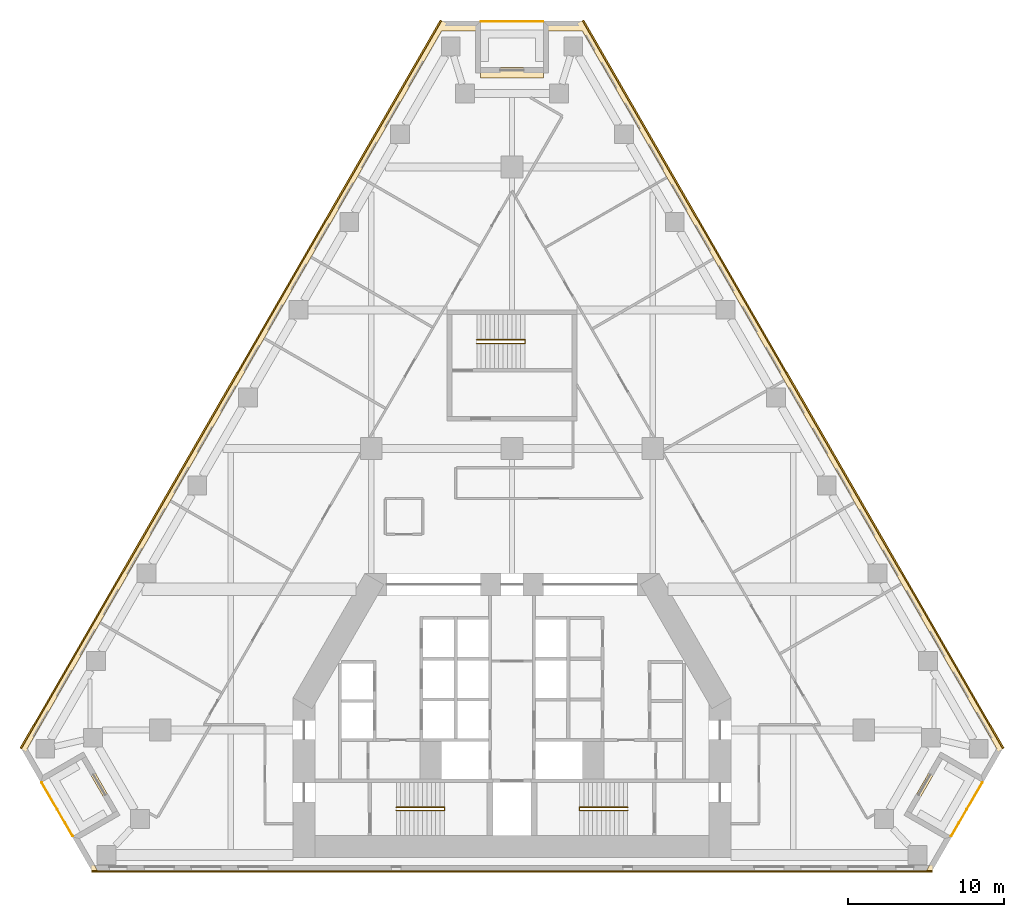
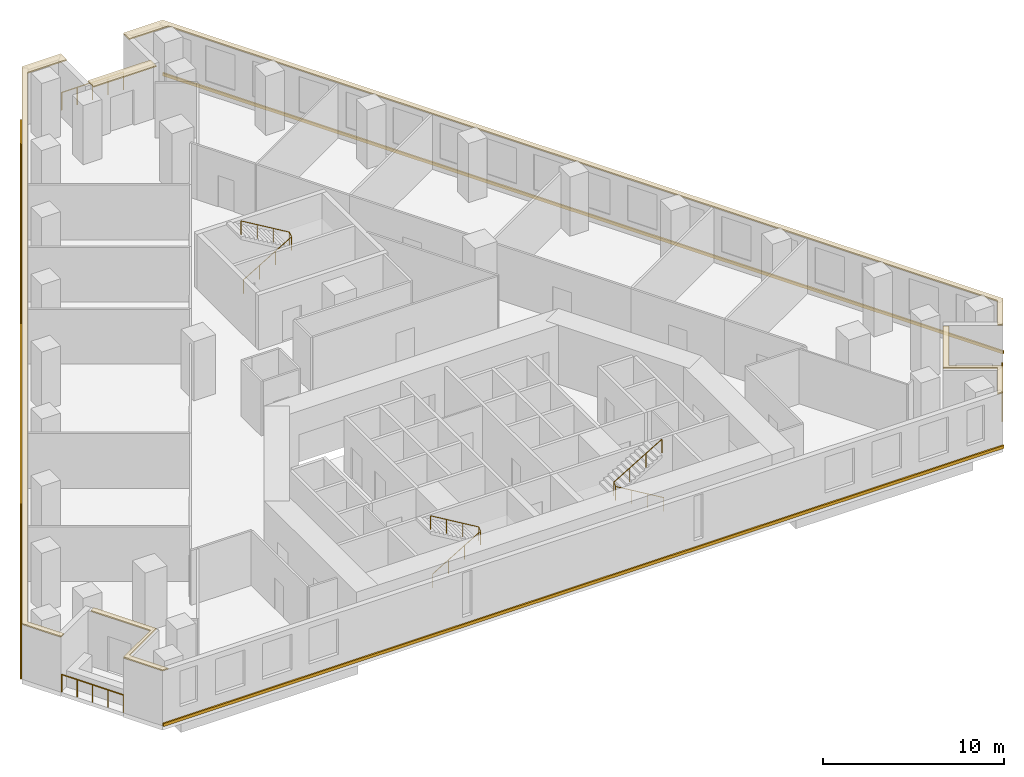
# One storey, part 9 of 9: 8 coverings, 6 railings.
"""IFC4 building model written with IfcOpenShell, lengths in metres."""

from ifc_helpers import new_model, si_unit, direction, frame, origin, origin_2d, place, context, subcontext, project, spatial, polyline, circle, outline, extrude, material, layer, layer_set, type_object, element, save


model = new_model("IFC4")

# Units and contexts
model_context = context("Model", 3, precision=1e-05, world=origin(), true_north=direction((0.0, 1.0)))
body_context = subcontext(model_context, "Body", "Model", "MODEL_VIEW")
ifc_project = project(units=[si_unit("LENGTHUNIT", "METRE"), si_unit("AREAUNIT", "SQUARE_METRE"), si_unit("VOLUMEUNIT", "CUBIC_METRE"), si_unit("PLANEANGLEUNIT", "RADIAN"), si_unit("MASSUNIT", "GRAM", prefix="KILO")], contexts=[model_context])

# Site, building, storey
site_placement = place(None, origin())
site = spatial("IfcSite", under=ifc_project, at=site_placement, CompositionType="ELEMENT")
building_placement = place(site_placement, origin())
building = spatial("IfcBuilding", under=site, at=building_placement, Name="Fogline Exchange Tower", CompositionType="ELEMENT")
storey_placement = place(building_placement, frame((0.0, 0.0, 72.89990234375)))
storey = spatial("IfcBuildingStorey", under=building, at=storey_placement, Name="L15", CompositionType="ELEMENT", Elevation=72.89990234375)

# Coverings
ifc_material_1 = material(Name="Granite", Category="masonry")
ifc_layer = layer(ifc_material_1, 0.080078125)
ifc_layer_set = layer_set([ifc_layer], Name="CP1")
covering_type_1 = type_object("IfcCoveringType", Name="CP1", PredefinedType="USERDEFINED", material=ifc_layer_set)
covering_1_placement = place(storey_placement, frame((0.0, 0.0, 3.7001953125)))
element("IfcCovering", 1, at=covering_1_placement, inside=storey, type_object=covering_type_1, Name="Ledge coping L15", ObjectType="COPING", PredefinedType="USERDEFINED", context=body_context, shape_type="SweptSolid", body=[
    extrude(outline(polyline([(-30.1328125, 5.629150390625), (-29.853515625, 5.790283203125), (-31.010498046875, 7.794189453125), (-4.5, 53.711669921875), (-2.0, 53.711669921875), (-2.0, 54.356689453125), (-4.5, 54.356689453125), (-31.3828125, 7.794189453125), (-30.1328125, 5.629150390625)])), origin(), (0.0, 0.0, 1.0), 0.079833984375),
])
covering_2_placement = place(storey_placement, frame((0.0, 0.0, 3.7001953125)))
element("IfcCovering", 2, at=covering_2_placement, inside=storey, type_object=covering_type_1, Name="Ledge coping L15", ObjectType="COPING", PredefinedType="USERDEFINED", context=body_context, shape_type="SweptSolid", body=[
    extrude(outline(polyline([(-26.8828125, 0.0), (-26.510498046875, 0.0), (-27.760498046875, 2.1650390625), (-25.162353515625, 3.6650390625), (-27.162353515625, 7.129150390625), (-27.441650390625, 6.968017578125), (-25.534912109375, 3.6650390625), (-28.1328125, 2.1650390625), (-26.8828125, 0.0)])), origin(), (0.0, 0.0, 1.0), 0.079833984375),
])
covering_3_placement = place(storey_placement, frame((0.0, 0.0, 3.7001953125)))
element("IfcCovering", 3, at=covering_3_placement, inside=storey, type_object=covering_type_1, Name="Ledge coping L15", ObjectType="COPING", PredefinedType="USERDEFINED", context=body_context, shape_type="SweptSolid", body=[
    extrude(outline(polyline([(25.534912109375, 3.6650390625), (27.441650390625, 6.968017578125), (27.162353515625, 7.129150390625), (25.162353515625, 3.6650390625), (27.760498046875, 2.1650390625), (26.510498046875, 0.0), (26.8828125, 0.0), (28.1328125, 2.1650390625), (25.534912109375, 3.6650390625)])), origin(), (0.0, 0.0, 1.0), 0.079833984375),
])
covering_4_placement = place(storey_placement, frame((0.0, 0.0, 3.7001953125)))
element("IfcCovering", 4, at=covering_4_placement, inside=storey, type_object=covering_type_1, Name="Ledge coping L15", ObjectType="COPING", PredefinedType="USERDEFINED", context=body_context, shape_type="SweptSolid", body=[
    extrude(outline(polyline([(2.0, 54.356689453125), (2.0, 53.711669921875), (4.5, 53.711669921875), (31.010498046875, 7.794189453125), (29.853515625, 5.790283203125), (30.1328125, 5.629150390625), (31.3828125, 7.794189453125), (4.5, 54.356689453125), (2.0, 54.356689453125)])), origin(), (0.0, 0.0, 1.0), 0.079833984375),
])
covering_5_placement = place(storey_placement, frame((0.0, 0.0, 3.7001953125)))
element("IfcCovering", 5, at=covering_5_placement, inside=storey, type_object=covering_type_1, Name="Ledge coping L15", ObjectType="COPING", PredefinedType="USERDEFINED", context=body_context, shape_type="SweptSolid", body=[
    extrude(outline(polyline([(2.0, 51.356689453125), (-2.0, 51.356689453125), (-2.0, 50.711669921875), (2.0, 50.711669921875), (2.0, 51.356689453125)])), origin(), (0.0, 0.0, 1.0), 0.079833984375),
])

# Railings
ifc_material_2 = material(Name="Stainless steel 304", Category="steel")
railing_type_1 = type_object("IfcRailingType", Name="G1", PredefinedType="GUARDRAIL", material=ifc_material_2)
railing_1_placement = place(storey_placement, frame((-30.0791015625, 5.635986328125, 0.0)))
element("IfcRailing", 6, at=railing_1_placement, inside=storey, type_object=railing_type_1, Name="Balcony guard L15 SW", PredefinedType="GUARDRAIL", context=body_context, shape_type="SweptSolid", body=[
    extrude(circle(Radius=0.02392578125, at=origin_2d()), frame((0.0, 0.0, 1.17578125), z_axis=(0.500000102728, -0.866025344474, 0.0), x_axis=(0.866025344474, 0.500000102728, 0.0)), (0.0, 0.0, 1.0), 3.9580078125),
    extrude(circle(Radius=0.02099609375, at=origin_2d()), origin(), (0.0, 0.0, 1.0), 1.15185546875),
    extrude(circle(Radius=0.02099609375, at=origin_2d()), frame((0.49462890625, -0.85693359375, 0.0)), (0.0, 0.0, 1.0), 1.15185546875),
    extrude(circle(Radius=0.02099609375, at=origin_2d()), frame((0.989501953125, -1.7138671875, 0.0)), (0.0, 0.0, 1.0), 1.15185546875),
    extrude(circle(Radius=0.02099609375, at=origin_2d()), frame((1.484375, -2.57080078125, 0.0)), (0.0, 0.0, 1.0), 1.15185546875),
    extrude(circle(Radius=0.02099609375, at=origin_2d()), frame((1.97900390625, -3.427734375, 0.0)), (0.0, 0.0, 1.0), 1.15185546875),
])
railing_2_placement = place(storey_placement, frame((28.10009765625, 2.208251953125, 0.0)))
element("IfcRailing", 7, at=railing_2_placement, inside=storey, type_object=railing_type_1, Name="Balcony guard L15 SE", PredefinedType="GUARDRAIL", context=body_context, shape_type="SweptSolid", body=[
    extrude(circle(Radius=0.02392578125, at=origin_2d()), frame((0.0, 0.0, 1.17578125), z_axis=(0.500000102728, 0.866025344474, 0.0), x_axis=(-0.866025344474, 0.500000102728, 0.0)), (0.0, 0.0, 1.0), 3.9580078125),
    extrude(circle(Radius=0.02099609375, at=origin_2d()), origin(), (0.0, 0.0, 1.0), 1.15185546875),
    extrude(circle(Radius=0.02099609375, at=origin_2d()), frame((0.49462890625, 0.85693359375, 0.0)), (0.0, 0.0, 1.0), 1.15185546875),
    extrude(circle(Radius=0.02099609375, at=origin_2d()), frame((0.989501953125, 1.7138671875, 0.0)), (0.0, 0.0, 1.0), 1.15185546875),
    extrude(circle(Radius=0.02099609375, at=origin_2d()), frame((1.484375, 2.57080078125, 0.0)), (0.0, 0.0, 1.0), 1.15185546875),
    extrude(circle(Radius=0.02099609375, at=origin_2d()), frame((1.97900390625, 3.427734375, 0.0)), (0.0, 0.0, 1.0), 1.15185546875),
])
railing_3_placement = place(storey_placement, frame((1.97900390625, 54.306640625, 0.0)))
element("IfcRailing", 8, at=railing_3_placement, inside=storey, type_object=railing_type_1, Name="Balcony guard L15 N", PredefinedType="GUARDRAIL", context=body_context, shape_type="SweptSolid", body=[
    extrude(circle(Radius=0.02392578125, at=origin_2d()), frame((0.0, 0.0, 1.17578125), z_axis=(-1.0, 0.0, 0.0), x_axis=(0.0, -1.0, 0.0)), (0.0, 0.0, 1.0), 3.9580078125),
    extrude(circle(Radius=0.02099609375, at=origin_2d()), origin(), (0.0, 0.0, 1.0), 1.15185546875),
    extrude(circle(Radius=0.02099609375, at=origin_2d()), frame((-0.989501953125, 0.0, 0.0)), (0.0, 0.0, 1.0), 1.15185546875),
    extrude(circle(Radius=0.02099609375, at=origin_2d()), frame((-1.97900390625, 0.0, 0.0)), (0.0, 0.0, 1.0), 1.15185546875),
    extrude(circle(Radius=0.02099609375, at=origin_2d()), frame((-2.968505859375, 0.0, 0.0)), (0.0, 0.0, 1.0), 1.15185546875),
    extrude(circle(Radius=0.02099609375, at=origin_2d()), frame((-3.9580078125, 0.0, 0.0)), (0.0, 0.0, 1.0), 1.15185546875),
])
ifc_material_3 = material(Name="Steel Q235B", Category="steel")
railing_type_2 = type_object("IfcRailingType", Name="RL-HR", PredefinedType="HANDRAIL", material=ifc_material_3)
railing_4_placement = place(storey_placement, frame((-7.39990234375, 3.85009765625, 0.166748046875)))
element("IfcRailing", 9, at=railing_4_placement, inside=storey, type_object=railing_type_2, Name="Handrail ST1", PredefinedType="HANDRAIL", context=body_context, shape_type="SweptSolid", body=[
    extrude(circle(Radius=0.02392578125, at=origin_2d()), frame((0.0, 0.0, 0.92578125), z_axis=(0.859290745958, 0.0, 0.51148745235), x_axis=(0.0, 1.0, 0.0)), (0.0, 0.0, 1.0), 3.584228515625),
    extrude(circle(Radius=0.02392578125, at=origin_2d()), frame((3.079833984375, 0.0, 2.75927734375), z_axis=(0.0, 0.767990643491, 0.640461061666), x_axis=(-1.0, 0.0, 0.0)), (0.0, 0.0, 1.0), 0.26025390625),
    extrude(circle(Radius=0.02392578125, at=origin_2d()), frame((3.079833984375, 0.199951171875, 2.92578125), z_axis=(-0.859290745958, 0.0, 0.51148745235), x_axis=(0.0, -1.0, 0.0)), (0.0, 0.0, 1.0), 3.584228515625),
    extrude(circle(Radius=0.02099609375, at=origin_2d()), origin(), (0.0, 0.0, 1.0), 0.90185546875),
    extrude(circle(Radius=0.02099609375, at=origin_2d()), frame((1.026611328125, 0.0, 0.611083984375)), (0.0, 0.0, 1.0), 0.90185546875),
    extrude(circle(Radius=0.02099609375, at=origin_2d()), frame((2.05322265625, 0.0, 1.22216796875)), (0.0, 0.0, 1.0), 0.90185546875),
    extrude(circle(Radius=0.02099609375, at=origin_2d()), frame((3.079833984375, 0.0, 1.833251953125)), (0.0, 0.0, 1.0), 0.90185546875),
    extrude(circle(Radius=0.02099609375, at=origin_2d()), frame((3.079833984375, 0.199951171875, 2.0)), (0.0, 0.0, 1.0), 0.90185546875),
    extrude(circle(Radius=0.02099609375, at=origin_2d()), frame((2.05322265625, 0.199951171875, 2.611083984375)), (0.0, 0.0, 1.0), 0.90185546875),
    extrude(circle(Radius=0.02099609375, at=origin_2d()), frame((1.026611328125, 0.199951171875, 3.22216796875)), (0.0, 0.0, 1.0), 0.90185546875),
    extrude(circle(Radius=0.02099609375, at=origin_2d()), frame((0.0, 0.199951171875, 3.833251953125)), (0.0, 0.0, 1.0), 0.90185546875),
])
railing_5_placement = place(storey_placement, frame((7.39990234375, 3.85009765625, 0.166748046875)))
element("IfcRailing", 10, at=railing_5_placement, inside=storey, type_object=railing_type_2, Name="Handrail ST2", PredefinedType="HANDRAIL", context=body_context, shape_type="SweptSolid", body=[
    extrude(circle(Radius=0.02392578125, at=origin_2d()), frame((0.0, 0.0, 0.92578125), z_axis=(-0.859290745958, 0.0, 0.51148745235), x_axis=(0.0, -1.0, 0.0)), (0.0, 0.0, 1.0), 3.584228515625),
    extrude(circle(Radius=0.02392578125, at=origin_2d()), frame((-3.079833984375, 0.0, 2.75927734375), z_axis=(0.0, 0.767990643491, 0.640461061666), x_axis=(-1.0, 0.0, 0.0)), (0.0, 0.0, 1.0), 0.26025390625),
    extrude(circle(Radius=0.02392578125, at=origin_2d()), frame((-3.079833984375, 0.199951171875, 2.92578125), z_axis=(0.859290745958, 0.0, 0.51148745235), x_axis=(0.0, 1.0, 0.0)), (0.0, 0.0, 1.0), 3.584228515625),
    extrude(circle(Radius=0.02099609375, at=origin_2d()), origin(), (0.0, 0.0, 1.0), 0.90185546875),
    extrude(circle(Radius=0.02099609375, at=origin_2d()), frame((-1.026611328125, 0.0, 0.611083984375)), (0.0, 0.0, 1.0), 0.90185546875),
    extrude(circle(Radius=0.02099609375, at=origin_2d()), frame((-2.05322265625, 0.0, 1.22216796875)), (0.0, 0.0, 1.0), 0.90185546875),
    extrude(circle(Radius=0.02099609375, at=origin_2d()), frame((-3.079833984375, 0.0, 1.833251953125)), (0.0, 0.0, 1.0), 0.90185546875),
    extrude(circle(Radius=0.02099609375, at=origin_2d()), frame((-3.079833984375, 0.199951171875, 2.0)), (0.0, 0.0, 1.0), 0.90185546875),
    extrude(circle(Radius=0.02099609375, at=origin_2d()), frame((-2.05322265625, 0.199951171875, 2.611083984375)), (0.0, 0.0, 1.0), 0.90185546875),
    extrude(circle(Radius=0.02099609375, at=origin_2d()), frame((-1.026611328125, 0.199951171875, 3.22216796875)), (0.0, 0.0, 1.0), 0.90185546875),
    extrude(circle(Radius=0.02099609375, at=origin_2d()), frame((0.0, 0.199951171875, 3.833251953125)), (0.0, 0.0, 1.0), 0.90185546875),
])
railing_6_placement = place(storey_placement, frame((-2.25, 33.70703125, 0.166748046875)))
element("IfcRailing", 11, at=railing_6_placement, inside=storey, type_object=railing_type_2, Name="Handrail ST3", PredefinedType="HANDRAIL", context=body_context, shape_type="SweptSolid", body=[
    extrude(circle(Radius=0.02392578125, at=origin_2d()), frame((0.0, 0.0, 0.92578125), z_axis=(0.859308565015, 0.0, 0.511457515432), x_axis=(0.0, 1.0, 0.0)), (0.0, 0.0, 1.0), 3.58447265625),
    extrude(circle(Radius=0.02392578125, at=origin_2d()), frame((3.080078125, 0.0, 2.75927734375), z_axis=(0.0, 0.831925284441, 0.554887665306), x_axis=(-1.0, 0.0, 0.0)), (0.0, 0.0, 1.0), 0.300537109375),
    extrude(circle(Radius=0.02392578125, at=origin_2d()), frame((3.080078125, 0.25, 2.92578125), z_axis=(-0.859308565015, 0.0, 0.511457515432), x_axis=(0.0, -1.0, 0.0)), (0.0, 0.0, 1.0), 3.58447265625),
    extrude(circle(Radius=0.02099609375, at=origin_2d()), origin(), (0.0, 0.0, 1.0), 0.90185546875),
    extrude(circle(Radius=0.02099609375, at=origin_2d()), frame((1.026611328125, 0.0, 0.611083984375)), (0.0, 0.0, 1.0), 0.90185546875),
    extrude(circle(Radius=0.02099609375, at=origin_2d()), frame((2.053466796875, 0.0, 1.22216796875)), (0.0, 0.0, 1.0), 0.90185546875),
    extrude(circle(Radius=0.02099609375, at=origin_2d()), frame((3.080078125, 0.0, 1.833251953125)), (0.0, 0.0, 1.0), 0.90185546875),
    extrude(circle(Radius=0.02099609375, at=origin_2d()), frame((3.080078125, 0.25, 2.0)), (0.0, 0.0, 1.0), 0.90185546875),
    extrude(circle(Radius=0.02099609375, at=origin_2d()), frame((2.053466796875, 0.25, 2.611083984375)), (0.0, 0.0, 1.0), 0.90185546875),
    extrude(circle(Radius=0.02099609375, at=origin_2d()), frame((1.026611328125, 0.25, 3.22216796875)), (0.0, 0.0, 1.0), 0.90185546875),
    extrude(circle(Radius=0.02099609375, at=origin_2d()), frame((0.0, 0.25, 3.833251953125)), (0.0, 0.0, 1.0), 0.90185546875),
])

# Coverings
ifc_material_4 = material(Name="Brick masonry", Category="masonry")
covering_type_2 = type_object("IfcCoveringType", Name="SB1", PredefinedType="CLADDING", material=ifc_material_4)
covering_6_placement = place(storey_placement, origin())
element("IfcCovering", 12, at=covering_6_placement, inside=storey, type_object=covering_type_2, Name="Stringcourse band L15 S", PredefinedType="CLADDING", context=body_context, shape_type="SweptSolid", body=[
    extrude(outline(polyline([(-26.8828125, 0.0), (-26.8828125, -0.10009765625), (26.8828125, -0.10009765625), (26.8828125, 0.0), (-26.8828125, 0.0)])), origin(), (0.0, 0.0, 1.0), 0.2001953125),
])
covering_7_placement = place(storey_placement, origin())
element("IfcCovering", 13, at=covering_7_placement, inside=storey, type_object=covering_type_2, Name="Stringcourse band L15 E", PredefinedType="CLADDING", context=body_context, shape_type="SweptSolid", body=[
    extrude(outline(polyline([(31.3828125, 7.794189453125), (31.469482421875, 7.84423828125), (4.586669921875, 54.40673828125), (4.5, 54.356689453125), (31.3828125, 7.794189453125)])), origin(), (0.0, 0.0, 1.0), 0.2001953125),
])
covering_8_placement = place(storey_placement, origin())
element("IfcCovering", 14, at=covering_8_placement, inside=storey, type_object=covering_type_2, Name="Stringcourse band L15 W", PredefinedType="CLADDING", context=body_context, shape_type="SweptSolid", body=[
    extrude(outline(polyline([(-4.5, 54.356689453125), (-4.586669921875, 54.40673828125), (-31.469482421875, 7.84423828125), (-31.3828125, 7.794189453125), (-4.5, 54.356689453125)])), origin(), (0.0, 0.0, 1.0), 0.2001953125),
])

save(model, "model.ifc")
